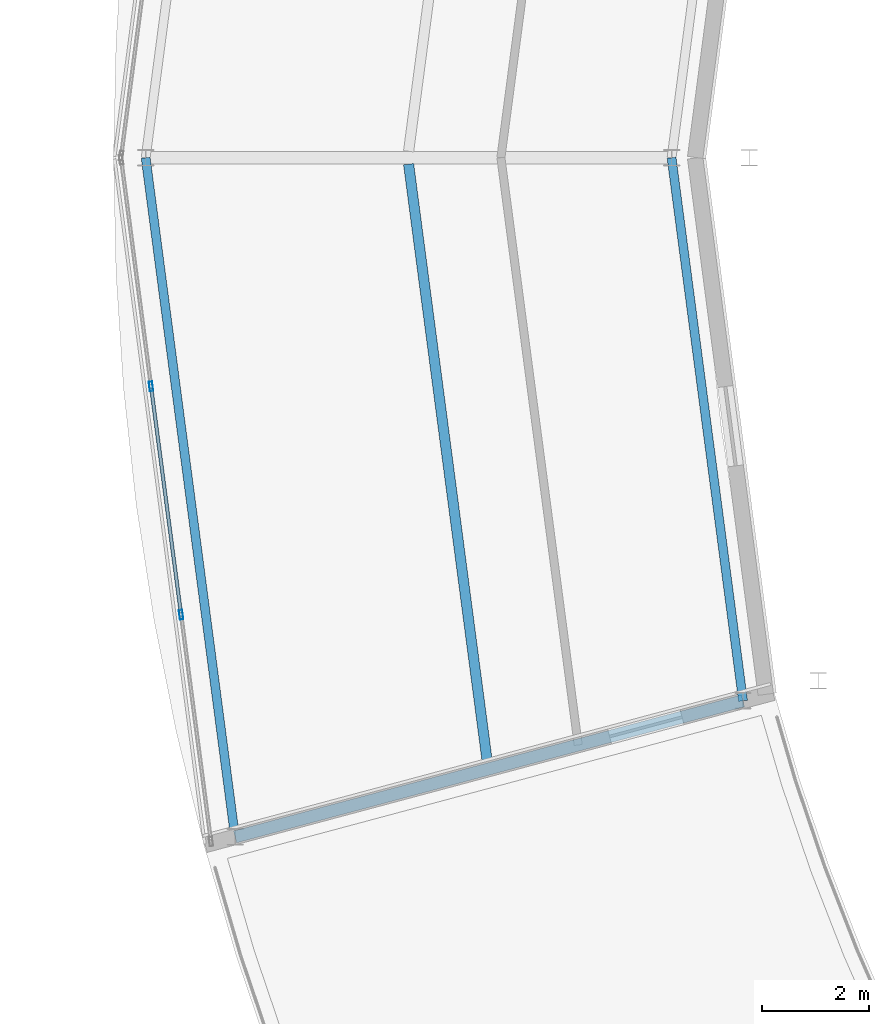
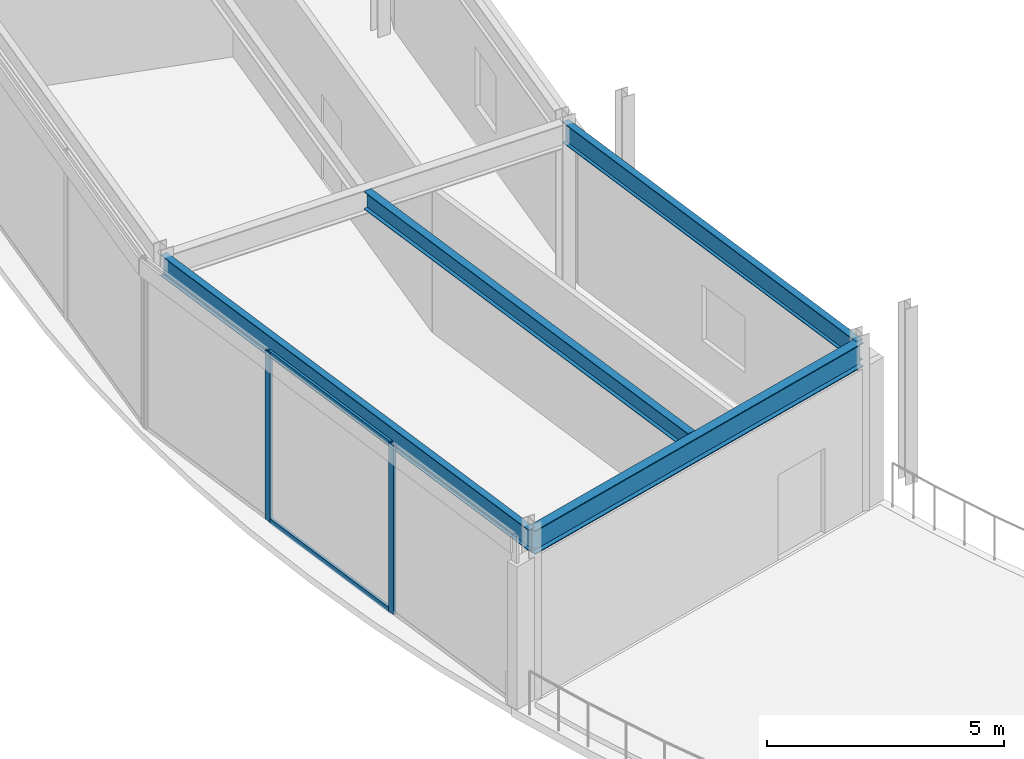
# One storey, part 19 of 116: 4 beams, 4 members, 1 element without a shape of its own.
"""IFC4 building model written with IfcOpenShell, lengths in metres."""

from ifc_helpers import new_model, si_unit, direction, frame, origin, origin_2d, place, context, subcontext, project, spatial, hollow_rectangle, i_section, extrude, material, material_profile, profile_set, type_object, element, aggregate, save


model = new_model("IFC4")

# Units and contexts
model_context = context("Model", 3, precision=1e-05, world=origin(), true_north=direction((0.0, 1.0)))
body_context = subcontext(model_context, "Body", "Model", "MODEL_VIEW")
ifc_project = project(units=[si_unit("LENGTHUNIT", "METRE"), si_unit("AREAUNIT", "SQUARE_METRE"), si_unit("VOLUMEUNIT", "CUBIC_METRE"), si_unit("PLANEANGLEUNIT", "RADIAN"), si_unit("MASSUNIT", "GRAM", prefix="KILO")], contexts=[model_context])

# Site, building, storey
site_placement = place(None, origin())
site = spatial("IfcSite", under=ifc_project, at=site_placement, CompositionType="ELEMENT")
building_placement = place(site_placement, origin())
building = spatial("IfcBuilding", under=site, at=building_placement, Name="Almandine Court Research Institute", CompositionType="ELEMENT")
storey_placement = place(building_placement, frame((0.0, 0.0, 14.35009765625)))
storey = spatial("IfcBuildingStorey", under=building, at=storey_placement, Name="L03", CompositionType="ELEMENT", Elevation=14.35009765625)

# Beams
ifc_material_1 = material(Name="Steel ASTM A992 Grade 50", Category="steel")
ifc_material_profile_1 = material_profile(ifc_material_1, i_section(OverallWidth=0.18994140625, OverallDepth=0.45703125, WebThickness=0.009033203125, FlangeThickness=0.014892578125, at=origin_2d()), Name="W460x74")
ifc_profile_set_1 = profile_set([ifc_material_profile_1], Name="Steel ASTM A992 Grade 50")
beam_type_1 = type_object("IfcBeamType", Name="Beam-B-01", PredefinedType="BEAM", material=ifc_profile_set_1)
beam_1_placement = place(storey_placement, frame((43.0, 55.8798828125, 4.094970703125), z_axis=(0.130512904889, -0.991446610594, 0.0), x_axis=(0.991446610594, 0.130512904889, 0.0)))
element("IfcBeam", 1, at=beam_1_placement, inside=storey, type_object=beam_type_1, Name="L03 Drum MID Ring Beam 12", PredefinedType="BEAM", context=body_context, shape_type="SweptSolid", body=[
    extrude(i_section(OverallWidth=0.18994140625, OverallDepth=0.45703125, WebThickness=0.009033203125, FlangeThickness=0.014892578125, at=origin_2d()), origin(), (0.0, 0.0, 1.0), 11.248046875),
])
ifc_material_profile_2 = material_profile(ifc_material_1, i_section(OverallWidth=0.22998046875, OverallDepth=0.616943359375, WebThickness=0.012939453125, FlangeThickness=0.02197265625, at=origin_2d()), Name="W610x140")
ifc_profile_set_2 = profile_set([ifc_material_profile_2], Name="Steel ASTM A992 Grade 50")
beam_type_2 = type_object("IfcBeamType", Name="Beam-G-02", PredefinedType="BEAM", material=ifc_profile_set_2)
beam_2_placement = place(storey_placement, frame((49.23193359375, 45.8798828125, 4.014892578125), z_axis=(-0.965937821551, -0.258774274024, 0.0), x_axis=(0.258774274024, -0.965937821551, 0.0)))
element("IfcBeam", 2, at=beam_2_placement, inside=storey, type_object=beam_type_2, Name="L03 Drum Radial Girder 13", PredefinedType="BEAM", context=body_context, shape_type="SweptSolid", body=[
    extrude(i_section(OverallWidth=0.22998046875, OverallDepth=0.616943359375, WebThickness=0.012939453125, FlangeThickness=0.02197265625, at=origin_2d()), origin(), (0.0, 0.0, 1.0), 9.799560546875),
])
ifc_material_profile_3 = material_profile(ifc_material_1, i_section(OverallWidth=0.166015625, OverallDepth=0.534912109375, WebThickness=0.010009765625, FlangeThickness=0.01708984375, at=origin_2d()), Name="W530x85")
ifc_profile_set_3 = profile_set([ifc_material_profile_3], Name="Steel ASTM A992 Grade 50")
beam_type_3 = type_object("IfcBeamType", Name="Beam-G-05-E", PredefinedType="SPANDREL", material=ifc_profile_set_3)
beam_3_placement = place(storey_placement, frame((47.89990234375, 56.0, 4.055908203125), z_axis=(0.130496584681, -0.991448758831, 0.0), x_axis=(0.991448758831, 0.130496584681, 0.0)))
element("IfcBeam", 3, at=beam_3_placement, inside=storey, type_object=beam_type_3, Name="L03 Drum IN Ring Beam 12", PredefinedType="SPANDREL", context=body_context, shape_type="SweptSolid", body=[
    extrude(i_section(OverallWidth=0.166015625, OverallDepth=0.534912109375, WebThickness=0.010009765625, FlangeThickness=0.01708984375, at=origin_2d()), origin(), (0.0, 0.0, 1.0), 10.20751953125),
])
beam_4_placement = place(storey_placement, frame((38.10009765625, 56.0, 4.055908203125), z_axis=(0.130512396599, -0.991446677504, 0.0), x_axis=(0.991446677504, 0.130512396599, 0.0)))
element("IfcBeam", 4, at=beam_4_placement, inside=storey, type_object=beam_type_3, Name="L03 Drum OUT Ring Beam 12", PredefinedType="SPANDREL", context=body_context, shape_type="SweptSolid", body=[
    extrude(i_section(OverallWidth=0.166015625, OverallDepth=0.534912109375, WebThickness=0.010009765625, FlangeThickness=0.01708984375, at=origin_2d()), origin(), (0.0, 0.0, 1.0), 12.76513671875),
])

# Curtain wall, members
ifc_material_2 = material(Name="Unitised Curtain Wall Framing and Solar Glazing", Category="glass")
curtain_wall_type = type_object("IfcCurtainWallType", Name="CW-CWJ-19", PredefinedType="USERDEFINED", material=ifc_material_2)
curtain_wall_placement = place(storey_placement, origin())
curtain_wall = element("IfcCurtainWall", 5, at=curtain_wall_placement, inside=storey, type_object=curtain_wall_type, Name="L03 Stacked-Ring Drum Outer Solar Jali Screen 12", ObjectType="SOLAR JALI SCREEN", PredefinedType="USERDEFINED")
ifc_material_3 = material(Name="Anodised Aluminium AW-6063-T6", Category="aluminium")
ifc_material_profile_4 = material_profile(ifc_material_3, hollow_rectangle(XDim=0.06494140625, YDim=0.179931640625, WallThickness=0.00390625, at=origin_2d()), Name="ALU RHS 65x180x4")
ifc_profile_set_4 = profile_set([ifc_material_profile_4], Name="Anodised Aluminium AW-6063-T6")
member_type_1 = type_object("IfcMemberType", Name="CWMul-65x180", PredefinedType="MULLION", material=ifc_profile_set_4)
member_1_placement = place(storey_placement, frame((38.7607421875, 47.484619140625, 0.0), z_axis=(0.0, 0.0, 1.0), x_axis=(-0.991442926098, -0.130540891259, 0.0)))
member_1 = element("IfcMember", 6, at=member_1_placement, type_object=member_type_1, Name="CWJ-19 mullion 2", PredefinedType="MULLION", context=body_context, shape_type="SweptSolid", body=[
    extrude(hollow_rectangle(XDim=0.06494140625, YDim=0.179931640625, WallThickness=0.00390625, at=origin_2d()), origin(), (0.0, 0.0, 1.0), 4.369873046875),
])
member_2_placement = place(storey_placement, frame((38.200439453125, 51.740234375, 0.0), z_axis=(0.0, 0.0, 1.0), x_axis=(-0.991442926098, -0.130540891259, 0.0)))
member_2 = element("IfcMember", 7, at=member_2_placement, type_object=member_type_1, Name="CWJ-19 mullion 3", PredefinedType="MULLION", context=body_context, shape_type="SweptSolid", body=[
    extrude(hollow_rectangle(XDim=0.06494140625, YDim=0.179931640625, WallThickness=0.00390625, at=origin_2d()), origin(), (0.0, 0.0, 1.0), 4.369873046875),
])
ifc_material_profile_5 = material_profile(ifc_material_3, hollow_rectangle(XDim=0.06494140625, YDim=0.1298828125, WallThickness=0.00390625, at=origin_2d()), Name="ALU RHS 65x130x4")
ifc_profile_set_5 = profile_set([ifc_material_profile_5], Name="Anodised Aluminium AW-6063-T6")
member_type_2 = type_object("IfcMemberType", Name="CWTrn-65x130", PredefinedType="NOTDEFINED", material=ifc_profile_set_5)
member_3_placement = place(storey_placement, frame((38.75634765625, 47.516845703125, 0.032470703125), z_axis=(-0.130521740045, 0.991445447504, 0.0), x_axis=(-0.991445447504, -0.130521740045, 0.0)))
member_3 = element("IfcMember", 8, at=member_3_placement, type_object=member_type_2, Name="CWJ-19 transom 2.1", ObjectType="TRANSOM", PredefinedType="USERDEFINED", context=body_context, shape_type="SweptSolid", body=[
    extrude(hollow_rectangle(XDim=0.06494140625, YDim=0.1298828125, WallThickness=0.00390625, at=origin_2d()), origin(), (0.0, 0.0, 1.0), 4.227294921875),
])
member_4_placement = place(storey_placement, frame((38.75634765625, 47.516845703125, 4.33740234375), z_axis=(-0.130521740045, 0.991445447504, 0.0), x_axis=(-0.991445447504, -0.130521740045, 0.0)))
member_4 = element("IfcMember", 9, at=member_4_placement, type_object=member_type_2, Name="CWJ-19 transom 2.2", ObjectType="TRANSOM", PredefinedType="USERDEFINED", context=body_context, shape_type="SweptSolid", body=[
    extrude(hollow_rectangle(XDim=0.06494140625, YDim=0.1298828125, WallThickness=0.00390625, at=origin_2d()), origin(), (0.0, 0.0, 1.0), 4.227294921875),
])
aggregate(curtain_wall, [member_1, member_2, member_3, member_4])

save(model, "model.ifc")
